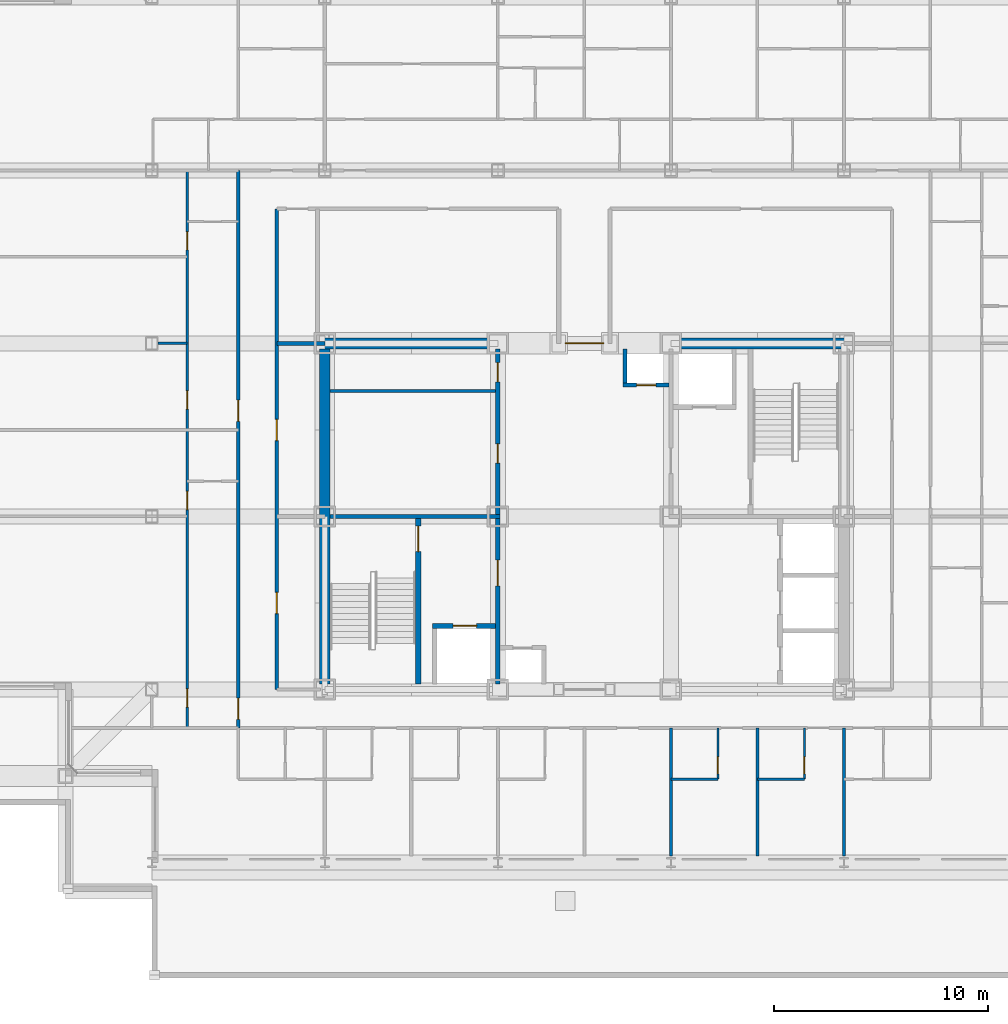
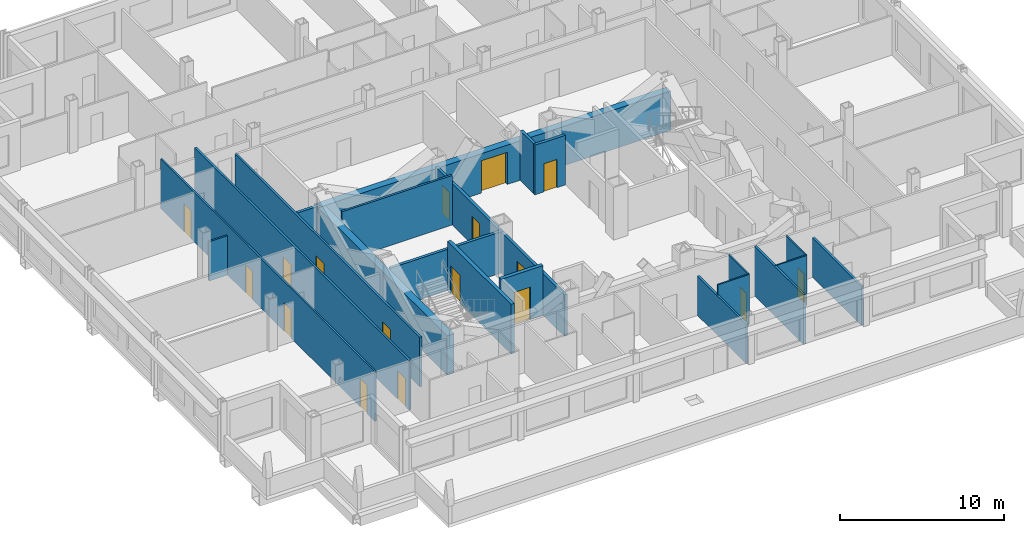
# One storey, part 9 of 15: 22 walls, 17 doors, 17 openings.
"""IFC4 building model written with IfcOpenShell, lengths in metres."""

import ifcopenshell
import ifcopenshell.guid

model = None  # the IFC model being written
_history = None  # IfcOwnerHistory: only IFC2X3 demands one
_inside = {}  # id of a spatial element -> (the spatial element, [elements in it])
_under = {}  # id of a project, library or spatial element -> (it, [spatial elements below it])
_declared = {}  # id of a project -> (the project, [libraries it declares])
_typed = {}  # id of a type object -> (the type object, [elements of that type])
_made_of = {}  # id of a material, layer set ... -> (it, [elements and type objects made of it])


def new_model(schema):
    """Start an empty IFC model of exactly this schema.

    Asked for "IFC4X3", IfcOpenShell would pick the latest addendum, in which some entities
    have other attributes; the version numbers below select the first issue.
    IFC2X3 requires an IfcOwnerHistory on every rooted entity: one is made here for all.
    """
    global model, _history
    if schema == "IFC4X3":
        model = ifcopenshell.file(schema_version=(4, 3, 0, 0))
    else:
        model = ifcopenshell.file(schema=schema)
    _inside.clear()
    _under.clear()
    _declared.clear()
    _typed.clear()
    _made_of.clear()
    _history = None
    if model.schema == "IFC2X3":
        org = make("IfcOrganization", Name="unknown")
        user = make(
            "IfcPersonAndOrganization",
            ThePerson=make("IfcPerson", FamilyName="unknown"),
            TheOrganization=org,
        )
        app = make(
            "IfcApplication",
            ApplicationDeveloper=org,
            Version="unknown",
            ApplicationFullName="unknown",
            ApplicationIdentifier="unknown",
        )
        _history = make(
            "IfcOwnerHistory",
            OwningUser=user,
            OwningApplication=app,
            ChangeAction="ADDED",
            CreationDate=0,
        )
    return model


def make(cls, **values):
    """One entity of the class cls with the attributes given. An attribute that is None is left unset."""
    return model.create_entity(
        cls, **{name: value for name, value in values.items() if value is not None}
    )


def rooted(cls, **values):
    """An entity with a GlobalId (a new one), such as an element, a storey or a relation."""
    return make(cls, GlobalId=ifcopenshell.guid.new(), OwnerHistory=_history, **values)


def si_unit(unit_type, name, prefix=None):
    """IfcSIUnit, for example si_unit("LENGTHUNIT", "METRE", prefix="MILLI")."""
    return make("IfcSIUnit", UnitType=unit_type, Prefix=prefix, Name=name)


def assignment(units):
    """IfcUnitAssignment: the units of a project."""
    return None if units is None else make("IfcUnitAssignment", Units=units)


def point(xyz):
    """IfcCartesianPoint."""
    return None if xyz is None else make("IfcCartesianPoint", Coordinates=xyz)


def direction(xyz):
    """IfcDirection."""
    return None if xyz is None else make("IfcDirection", DirectionRatios=xyz)


def frame(location, z_axis=None, x_axis=None):
    """IfcAxis2Placement3D, a coordinate frame: its origin and axes. An axis left out is left unset."""
    return make(
        "IfcAxis2Placement3D",
        Location=point(location),
        Axis=direction(z_axis),
        RefDirection=direction(x_axis),
    )


def frame_2d(location, x_axis=None):
    """IfcAxis2Placement2D, a coordinate frame in the plane: its origin and x axis."""
    return make(
        "IfcAxis2Placement2D", Location=point(location), RefDirection=direction(x_axis)
    )


def origin():
    """The frame at (0, 0, 0) with its axes left unset."""
    return frame((0.0, 0.0, 0.0))


def place(relative_to, where):
    """IfcLocalPlacement: puts the frame where relative to a parent placement (None: the world)."""
    return make(
        "IfcLocalPlacement", PlacementRelTo=relative_to, RelativePlacement=where
    )


def context(
    kind, dimensions, precision=None, world=None, true_north=None, identifier=None
):
    """IfcGeometricRepresentationContext, for example the 3D "Model" context."""
    return make(
        "IfcGeometricRepresentationContext",
        ContextIdentifier=identifier,
        ContextType=kind,
        CoordinateSpaceDimension=dimensions,
        Precision=precision,
        WorldCoordinateSystem=world,
        TrueNorth=true_north,
    )


def subcontext(parent, identifier, kind, view, scale=None):
    """IfcGeometricRepresentationSubContext, for example "Body" below "Model"."""
    return make(
        "IfcGeometricRepresentationSubContext",
        ContextIdentifier=identifier,
        ContextType=kind,
        ParentContext=parent,
        TargetScale=scale,
        TargetView=view,
    )


def project(units=None, contexts=None):
    """IfcProject with its units and contexts."""
    return rooted(
        "IfcProject",
        Name="project",
        RepresentationContexts=contexts,
        UnitsInContext=assignment(units),
    )


def spatial(cls, under=None, at=None, **own):
    """A site, building, storey or space (cls), placed at a placement, below another one or the project."""
    s = rooted(cls, ObjectPlacement=at, **own)
    if under is not None:
        _under.setdefault(under.id(), (under, []))[1].append(s)
    return s


def profile(cls, at=None, kind="AREA", **sizes):
    """A parametric profile (cls). Its sizes go by their IFC names, for example OverallWidth=200.0."""
    return make(cls, ProfileType=kind, Position=at, **sizes)


def rectangle(**sizes):
    """IfcRectangleProfileDef."""
    return profile("IfcRectangleProfileDef", **sizes)


def extrude(swept, where, along, depth):
    """IfcExtrudedAreaSolid: the profile swept, set in the frame where, extruded along a direction by depth."""
    return make(
        "IfcExtrudedAreaSolid",
        SweptArea=swept,
        Position=where,
        ExtrudedDirection=direction(along),
        Depth=depth,
    )


def shape(context_of_items, identifier, shape_type, items):
    """IfcShapeRepresentation: the items that make up one representation, for example the "Body"."""
    return make(
        "IfcShapeRepresentation",
        ContextOfItems=context_of_items,
        RepresentationIdentifier=identifier,
        RepresentationType=shape_type,
        Items=items,
    )


def material(Name=None, Category=None):
    """IfcMaterial."""
    return make("IfcMaterial", Name=Name, Category=Category)


def layer(
    of_material, thickness, ventilated=None, Name=None, Category=None, Priority=None
):
    """IfcMaterialLayer: one layer of a wall or slab, of a material (None: an air gap)."""
    return make(
        "IfcMaterialLayer",
        Material=of_material,
        LayerThickness=thickness,
        IsVentilated=ventilated,
        Name=Name,
        Category=Category,
        Priority=Priority,
    )


def layer_set(layers, Name=None):
    """IfcMaterialLayerSet."""
    return make("IfcMaterialLayerSet", MaterialLayers=layers, LayerSetName=Name)


def made_of(thing, what):
    """Note that an element or type object is made of a material, layer set ...; save() writes the relation."""
    if what is not None:
        _made_of.setdefault(what.id(), (what, []))[1].append(thing)
    return thing


def type_object(cls, material=None, **own):
    """A type object (cls), such as IfcWallType, which elements share."""
    return made_of(rooted(cls, **own), material)


def element(
    cls,
    number,
    at=None,
    inside=None,
    cuts=None,
    type_object=None,
    material=None,
    context=None,
    identifier="Body",
    shape_type=None,
    held_by="IfcProductDefinitionShape",
    body=None,
    shapes=None,
    **own,
):
    """One element of the class cls, such as IfcWall. Its Tag is "e" and its number.

    at: its placement. inside: the storey or other place that contains it. cuts: it is an
    opening in that element (IfcRelVoidsElement). A single representation is given by context,
    identifier, shape_type and body (its items); several are given by shapes. held_by: the class
    of the entity that holds the representations. save() writes the other relations.
    """
    e = rooted(cls, Tag="e%d" % number, ObjectPlacement=at, **own)
    if body is not None:
        shapes = [shape(context, identifier, shape_type, body)]
    if shapes is not None:
        e.Representation = make(held_by, Representations=shapes)
    if inside is not None:
        _inside.setdefault(inside.id(), (inside, []))[1].append(e)
    if cuts is not None:
        rooted(
            "IfcRelVoidsElement", RelatingBuildingElement=cuts, RelatedOpeningElement=e
        )
    if type_object is not None:
        _typed.setdefault(type_object.id(), (type_object, []))[1].append(e)
    return made_of(e, material)


def fill(opening, filler):
    """IfcRelFillsElement: the door or window that sits in an opening."""
    return rooted(
        "IfcRelFillsElement",
        RelatingOpeningElement=opening,
        RelatedBuildingElement=filler,
    )


def aggregate(whole, parts):
    """IfcRelAggregates: a whole, such as a stair, and the parts it consists of."""
    return rooted("IfcRelAggregates", RelatingObject=whole, RelatedObjects=parts)


def save(model, path):
    """Write the relations noted so far, then the file.

    IfcRelAggregates (storeys below a building ...), IfcRelContainedInSpatialStructure (elements
    in a storey), IfcRelDefinesByType, IfcRelAssociatesMaterial and IfcRelDeclares: one each for
    every whole, place, type object, material and project.
    """
    for whole, parts in _under.values():
        aggregate(whole, parts)
    for where, things in _inside.values():
        rooted(
            "IfcRelContainedInSpatialStructure",
            RelatedElements=things,
            RelatingStructure=where,
        )
    for kind, things in _typed.values():
        rooted("IfcRelDefinesByType", RelatedObjects=things, RelatingType=kind)
    for what, things in _made_of.values():
        rooted("IfcRelAssociatesMaterial", RelatedObjects=things, RelatingMaterial=what)
    for by, libraries in _declared.values():
        rooted("IfcRelDeclares", RelatingContext=by, RelatedDefinitions=libraries)
    model.write(path)


model = new_model("IFC4")

# Units and contexts
model_context = context("Model", 3, precision=1e-05, world=origin(), true_north=direction((0.0, 1.0)))
body_context = subcontext(model_context, "Body", "Model", "MODEL_VIEW")
ifc_project = project(units=[si_unit("LENGTHUNIT", "METRE"), si_unit("AREAUNIT", "SQUARE_METRE"), si_unit("VOLUMEUNIT", "CUBIC_METRE"), si_unit("PLANEANGLEUNIT", "RADIAN"), si_unit("MASSUNIT", "GRAM", prefix="KILO")], contexts=[model_context])

# Site, building, storey
site_placement = place(None, origin())
site = spatial("IfcSite", under=ifc_project, at=site_placement, CompositionType="ELEMENT")
building_placement = place(site_placement, origin())
building = spatial("IfcBuilding", under=site, at=building_placement, Name="Kopane Lantern Tower", CompositionType="ELEMENT")
storey_placement = place(building_placement, frame((0.0, 0.0, 242.39990234375)))
storey = spatial("IfcBuildingStorey", under=building, at=storey_placement, Name="L62", CompositionType="ELEMENT", Elevation=242.39990234375)

# Wall, openings, doors
ifc_material_1 = material(Name="Gypsum board on steel studs", Category="steel")
ifc_layer_1 = layer(ifc_material_1, 0.1201171875)
ifc_layer_set_1 = layer_set([ifc_layer_1], Name="APARTMENT INTERNAL WALL 120")
wall_type_1 = type_object("IfcWallType", Name="APARTMENT INTERNAL WALL 120", PredefinedType="PARTITIONING", material=ifc_layer_set_1)
wall_1_placement = place(storey_placement, frame((9.75, 22.5, 0.0), z_axis=(0.0, 0.0, 1.0), x_axis=(0.0, 1.0, 0.0)))
wall_1 = element("IfcWall", 1, at=wall_1_placement, inside=storey, type_object=wall_type_1, Name="Apartment Internal Wall 120 L62", PredefinedType="PARTITIONING", context=body_context, shape_type="SweptSolid", body=[
    extrude(rectangle(XDim=26.10009765625, YDim=0.1201171875, at=frame_2d((13.050048828125, 0.0))), origin(), (0.0, 0.0, 1.0), 3.690185546875),
])
opening_1_placement = place(wall_1_placement, frame((0.97509765625, 0.0, 0.0)))
opening_1 = element("IfcOpeningElement", 2, at=opening_1_placement, cuts=wall_1, Name="Opening L62-031", PredefinedType="OPENING", context=body_context, shape_type="SweptSolid", body=[
    extrude(rectangle(XDim=0.85009765625, YDim=2.10009765625, at=frame_2d((0.425048828125, 1.050048828125))), frame((0.0, 0.070068359375, 0.0), z_axis=(0.0, -1.0, 0.0), x_axis=(1.0, 0.0, 0.0)), (0.0, 0.0, 1.0), 0.14013671875),
])
opening_2_placement = place(wall_1_placement, frame((10.22509765625, 0.0, 0.0)))
opening_2 = element("IfcOpeningElement", 3, at=opening_2_placement, cuts=wall_1, Name="Opening L62-032", PredefinedType="OPENING", context=body_context, shape_type="SweptSolid", body=[
    extrude(rectangle(XDim=0.85009765625, YDim=2.10009765625, at=frame_2d((0.425048828125, 1.050048828125))), frame((0.0, 0.070068359375, 0.0), z_axis=(0.0, -1.0, 0.0), x_axis=(1.0, 0.0, 0.0)), (0.0, 0.0, 1.0), 0.14013671875),
])
opening_3_placement = place(wall_1_placement, frame((14.925048828125, 0.0, 0.0)))
opening_3 = element("IfcOpeningElement", 4, at=opening_3_placement, cuts=wall_1, Name="Opening L62-035", PredefinedType="OPENING", context=body_context, shape_type="SweptSolid", body=[
    extrude(rectangle(XDim=0.85009765625, YDim=2.10009765625, at=frame_2d((0.425048828125, 1.050048828125))), frame((0.0, 0.070068359375, 0.0), z_axis=(0.0, -1.0, 0.0), x_axis=(1.0, 0.0, 0.0)), (0.0, 0.0, 1.0), 0.14013671875),
])
opening_4_placement = place(wall_1_placement, frame((22.375, 0.0, 0.0)))
opening_4 = element("IfcOpeningElement", 5, at=opening_4_placement, cuts=wall_1, Name="Opening L62-036", PredefinedType="OPENING", context=body_context, shape_type="SweptSolid", body=[
    extrude(rectangle(XDim=0.85009765625, YDim=2.10009765625, at=frame_2d((0.425048828125, 1.050048828125))), frame((0.0, 0.070068359375, 0.0), z_axis=(0.0, -1.0, 0.0), x_axis=(1.0, 0.0, 0.0)), (0.0, 0.0, 1.0), 0.14013671875),
])
ifc_material_2 = material(Name="Timber door set", Category="wood")
door_type_1 = type_object("IfcDoorType", Name="DOOR D4 850x2100", OperationType="SINGLE_SWING_LEFT", PredefinedType="DOOR", material=ifc_material_2)
door_1_placement = place(opening_1_placement, origin())
door_1 = element("IfcDoor", 6, at=door_1_placement, inside=storey, type_object=door_type_1, Name="Door L62-031", OperationType="SINGLE_SWING_RIGHT", OverallHeight=2.10009765625, OverallWidth=0.85009765625, PredefinedType="DOOR", context=body_context, shape_type="SweptSolid", body=[
    extrude(rectangle(XDim=0.85009765625, YDim=2.10009765625, at=frame_2d((0.425048828125, 1.050048828125))), frame((0.0, 0.02490234375, 0.0), z_axis=(0.0, -1.0, 0.0), x_axis=(1.0, 0.0, 0.0)), (0.0, 0.0, 1.0), 0.050048828125),
])
fill(opening_1, door_1)
door_2_placement = place(opening_2_placement, origin())
door_2 = element("IfcDoor", 7, at=door_2_placement, inside=storey, type_object=door_type_1, Name="Door L62-032", OperationType="SINGLE_SWING_LEFT", OverallHeight=2.10009765625, OverallWidth=0.85009765625, PredefinedType="DOOR", context=body_context, shape_type="SweptSolid", body=[
    extrude(rectangle(XDim=0.85009765625, YDim=2.10009765625, at=frame_2d((0.425048828125, 1.050048828125))), frame((0.0, 0.02490234375, 0.0), z_axis=(0.0, -1.0, 0.0), x_axis=(1.0, 0.0, 0.0)), (0.0, 0.0, 1.0), 0.050048828125),
])
fill(opening_2, door_2)
door_3_placement = place(opening_3_placement, origin())
door_3 = element("IfcDoor", 8, at=door_3_placement, inside=storey, type_object=door_type_1, Name="Door L62-035", OperationType="SINGLE_SWING_RIGHT", OverallHeight=2.10009765625, OverallWidth=0.85009765625, PredefinedType="DOOR", context=body_context, shape_type="SweptSolid", body=[
    extrude(rectangle(XDim=0.85009765625, YDim=2.10009765625, at=frame_2d((0.425048828125, 1.050048828125))), frame((0.0, 0.02490234375, 0.0), z_axis=(0.0, -1.0, 0.0), x_axis=(1.0, 0.0, 0.0)), (0.0, 0.0, 1.0), 0.050048828125),
])
fill(opening_3, door_3)
door_4_placement = place(opening_4_placement, origin())
door_4 = element("IfcDoor", 9, at=door_4_placement, inside=storey, type_object=door_type_1, Name="Door L62-036", OperationType="SINGLE_SWING_LEFT", OverallHeight=2.10009765625, OverallWidth=0.85009765625, PredefinedType="DOOR", context=body_context, shape_type="SweptSolid", body=[
    extrude(rectangle(XDim=0.85009765625, YDim=2.10009765625, at=frame_2d((0.425048828125, 1.050048828125))), frame((0.0, 0.02490234375, 0.0), z_axis=(0.0, -1.0, 0.0), x_axis=(1.0, 0.0, 0.0)), (0.0, 0.0, 1.0), 0.050048828125),
])
fill(opening_4, door_4)

# Walls
wall_2_placement = place(storey_placement, frame((9.75, 40.5, 0.0), z_axis=(0.0, 0.0, 1.0), x_axis=(-1.0, 0.0, 0.0)))
element("IfcWall", 10, at=wall_2_placement, inside=storey, type_object=wall_type_1, Name="Apartment Internal Wall 120 L62", PredefinedType="PARTITIONING", context=body_context, shape_type="SweptSolid", body=[
    extrude(rectangle(XDim=1.35009765625, YDim=0.1201171875, at=frame_2d((0.675048828125, 0.0))), origin(), (0.0, 0.0, 1.0), 2.927978515625),
])
ifc_material_3 = material(Name="Moisture-resistant board on steel studs", Category="steel")
ifc_layer_2 = layer(ifc_material_3, 0.10009765625)
ifc_layer_set_2 = layer_set([ifc_layer_2], Name="BATHROOM WALL 100")
wall_type_2 = type_object("IfcWallType", Name="BATHROOM WALL 100", PredefinedType="PARTITIONING", material=ifc_layer_set_2)
wall_3_placement = place(storey_placement, frame((32.39990234375, 20.10009765625, 0.0), z_axis=(0.0, 0.0, 1.0), x_axis=(1.0, 0.0, 0.0)))
element("IfcWall", 11, at=wall_3_placement, inside=storey, type_object=wall_type_2, Name="Bathroom Wall 100 L62", PredefinedType="PARTITIONING", context=body_context, shape_type="SweptSolid", body=[
    extrude(rectangle(XDim=2.2001953125, YDim=0.10009765625, at=frame_2d((1.10009765625, 0.0))), origin(), (0.0, 0.0, 1.0), 3.690185546875),
])

# Wall, opening, door
wall_4_placement = place(storey_placement, frame((34.60009765625, 22.5, 0.0), z_axis=(0.0, 0.0, 1.0), x_axis=(0.0, -1.0, 0.0)))
wall_4 = element("IfcWall", 12, at=wall_4_placement, inside=storey, type_object=wall_type_2, Name="Bathroom Wall 100 L62", PredefinedType="PARTITIONING", context=body_context, shape_type="SweptSolid", body=[
    extrude(rectangle(XDim=2.39990234375, YDim=0.10009765625, at=frame_2d((1.199951171875, 0.0))), origin(), (0.0, 0.0, 1.0), 3.690185546875),
])
opening_5_placement = place(wall_4_placement, frame((1.35009765625, 0.0, 0.0)))
opening_5 = element("IfcOpeningElement", 13, at=opening_5_placement, cuts=wall_4, Name="Opening L62-015", PredefinedType="OPENING", context=body_context, shape_type="SweptSolid", body=[
    extrude(rectangle(XDim=0.800048828125, YDim=2.10009765625, at=frame_2d((0.39990234375, 1.050048828125))), frame((0.0, 0.06005859375, 0.0), z_axis=(0.0, -1.0, 0.0), x_axis=(1.0, 0.0, 0.0)), (0.0, 0.0, 1.0), 0.1201171875),
])
ifc_material_4 = material(Name="Timber door set", Category="wood")
door_type_2 = type_object("IfcDoorType", Name="DOOR D2 800x2100", OperationType="SINGLE_SWING_LEFT", PredefinedType="DOOR", material=ifc_material_4)
door_5_placement = place(opening_5_placement, origin())
door_5 = element("IfcDoor", 14, at=door_5_placement, inside=storey, type_object=door_type_2, Name="Door L62-015", OperationType="SINGLE_SWING_LEFT", OverallHeight=2.10009765625, OverallWidth=0.800048828125, PredefinedType="DOOR", context=body_context, shape_type="SweptSolid", body=[
    extrude(rectangle(XDim=0.800048828125, YDim=2.10009765625, at=frame_2d((0.39990234375, 1.050048828125))), frame((0.0, 0.02490234375, 0.0), z_axis=(0.0, -1.0, 0.0), x_axis=(1.0, 0.0, 0.0)), (0.0, 0.0, 1.0), 0.050048828125),
])
fill(opening_5, door_5)

# Wall
wall_5_placement = place(storey_placement, frame((36.449951171875, 20.10009765625, 0.0), z_axis=(0.0, 0.0, 1.0), x_axis=(1.0, 0.0, 0.0)))
element("IfcWall", 15, at=wall_5_placement, inside=storey, type_object=wall_type_2, Name="Bathroom Wall 100 L62", PredefinedType="PARTITIONING", context=body_context, shape_type="SweptSolid", body=[
    extrude(rectangle(XDim=2.199951171875, YDim=0.10009765625, at=frame_2d((1.10009765625, 0.0))), origin(), (0.0, 0.0, 1.0), 3.690185546875),
])

# Wall, opening, door
wall_6_placement = place(storey_placement, frame((38.64990234375, 22.5, 0.0), z_axis=(0.0, 0.0, 1.0), x_axis=(0.0, -1.0, 0.0)))
wall_6 = element("IfcWall", 16, at=wall_6_placement, inside=storey, type_object=wall_type_2, Name="Bathroom Wall 100 L62", PredefinedType="PARTITIONING", context=body_context, shape_type="SweptSolid", body=[
    extrude(rectangle(XDim=2.39990234375, YDim=0.10009765625, at=frame_2d((1.199951171875, 0.0))), origin(), (0.0, 0.0, 1.0), 3.690185546875),
])
opening_6_placement = place(wall_6_placement, frame((1.35009765625, 0.0, 0.0)))
opening_6 = element("IfcOpeningElement", 17, at=opening_6_placement, cuts=wall_6, Name="Opening L62-017", PredefinedType="OPENING", context=body_context, shape_type="SweptSolid", body=[
    extrude(rectangle(XDim=0.800048828125, YDim=2.10009765625, at=frame_2d((0.39990234375, 1.050048828125))), frame((0.0, 0.06005859375, 0.0), z_axis=(0.0, -1.0, 0.0), x_axis=(1.0, 0.0, 0.0)), (0.0, 0.0, 1.0), 0.1201171875),
])
door_6_placement = place(opening_6_placement, origin())
door_6 = element("IfcDoor", 18, at=door_6_placement, inside=storey, type_object=door_type_2, Name="Door L62-017", OperationType="SINGLE_SWING_LEFT", OverallHeight=2.10009765625, OverallWidth=0.800048828125, PredefinedType="DOOR", context=body_context, shape_type="SweptSolid", body=[
    extrude(rectangle(XDim=0.800048828125, YDim=2.10009765625, at=frame_2d((0.39990234375, 1.050048828125))), frame((0.0, 0.02490234375, 0.0), z_axis=(0.0, -1.0, 0.0), x_axis=(1.0, 0.0, 0.0)), (0.0, 0.0, 1.0), 0.050048828125),
])
fill(opening_6, door_6)

ifc_material_5 = material(Name="Gypsum shaft wall EI 120", Category="gypsum")
ifc_layer_3 = layer(ifc_material_5, 0.5)
ifc_layer_set_3 = layer_set([ifc_layer_3], Name="CORE PERIMETER WALL 500 EI 120")
wall_type_3 = type_object("IfcWallType", Name="CORE PERIMETER WALL 500 EI 120", PredefinedType="SOLIDWALL", material=ifc_layer_set_3)
wall_7_placement = place(storey_placement, frame((15.949951171875, 40.5, 0.0), z_axis=(0.0, 0.0, 1.0), x_axis=(1.0, 0.0, 0.0)))
wall_7 = element("IfcWall", 19, at=wall_7_placement, inside=storey, type_object=wall_type_3, Name="Core shaft wall L62 PN", PredefinedType="SOLIDWALL", context=body_context, shape_type="SweptSolid", body=[
    extrude(rectangle(XDim=24.800048828125, YDim=0.5, at=frame_2d((12.39990234375, 0.0))), origin(), (0.0, 0.0, 1.0), 2.927978515625),
])
opening_7_placement = place(wall_7_placement, frame((11.5, 0.0, 0.0)))
opening_7 = element("IfcOpeningElement", 20, at=opening_7_placement, cuts=wall_7, Name="Opening 62.CE-N", PredefinedType="OPENING", context=body_context, shape_type="SweptSolid", body=[
    extrude(rectangle(XDim=1.800048828125, YDim=2.39990234375, at=frame_2d((0.89990234375, 1.199951171875))), frame((0.0, 0.260009765625, 0.0), z_axis=(0.0, -1.0, 0.0), x_axis=(1.0, 0.0, 0.0)), (0.0, 0.0, 1.0), 0.52001953125),
])
ifc_material_6 = material(Name="Steel door set", Category="steel")
door_type_3 = type_object("IfcDoorType", Name="CORE ENTRY DOOR 1800x2400 FD60S", OperationType="DOUBLE_DOOR_SINGLE_SWING", PredefinedType="DOOR", material=ifc_material_6)
door_7_placement = place(opening_7_placement, origin())
door_7 = element("IfcDoor", 21, at=door_7_placement, inside=storey, type_object=door_type_3, Name="Core entry door L62 north", OperationType="DOUBLE_DOOR_SINGLE_SWING", OverallHeight=2.39990234375, OverallWidth=1.800048828125, PredefinedType="DOOR", context=body_context, shape_type="SweptSolid", body=[
    extrude(rectangle(XDim=1.800048828125, YDim=2.39990234375, at=frame_2d((0.89990234375, 1.199951171875))), frame((0.0, 0.02490234375, 0.0), z_axis=(0.0, -1.0, 0.0), x_axis=(1.0, 0.0, 0.0)), (0.0, 0.0, 1.0), 0.050048828125),
])
fill(opening_7, door_7)

# Walls
wall_8_placement = place(storey_placement, frame((16.199951171875, 24.550048828125, 0.0), z_axis=(0.0, 0.0, 1.0), x_axis=(0.0, 1.0, 0.0)))
element("IfcWall", 22, at=wall_8_placement, inside=storey, type_object=wall_type_3, Name="Core shaft wall L62 PW", PredefinedType="SOLIDWALL", context=body_context, shape_type="SweptSolid", body=[
    extrude(rectangle(XDim=15.699951171875, YDim=0.5, at=frame_2d((7.85009765625, 0.0))), origin(), (0.0, 0.0, 1.0), 2.927978515625),
])
ifc_material_7 = material(Name="Gypsum partition EI 60", Category="gypsum")
ifc_layer_4 = layer(ifc_material_7, 0.14990234375)
ifc_layer_set_4 = layer_set([ifc_layer_4], Name="CORE ROOM PARTITION 150 EI 60")
wall_type_4 = type_object("IfcWallType", Name="CORE ROOM PARTITION 150 EI 60", PredefinedType="PARTITIONING", material=ifc_layer_set_4)
wall_9_placement = place(storey_placement, frame((16.449951171875, 38.27490234375, 0.0), z_axis=(0.0, 0.0, 1.0), x_axis=(1.0, 0.0, 0.0)))
element("IfcWall", 23, at=wall_9_placement, inside=storey, type_object=wall_type_4, Name="Core room partition L62 WW1", PredefinedType="PARTITIONING", context=body_context, shape_type="SweptSolid", body=[
    extrude(rectangle(XDim=7.75, YDim=0.14990234375, at=frame_2d((3.875, 0.0))), origin(), (0.0, 0.0, 1.0), 3.690185546875),
])

# Wall, openings, doors
ifc_material_8 = material(Name="Gypsum partition EI 60", Category="gypsum")
ifc_layer_5 = layer(ifc_material_8, 0.199951171875)
ifc_layer_set_5 = layer_set([ifc_layer_5], Name="CORE ROOM WALL 200 EI 60")
wall_type_5 = type_object("IfcWallType", Name="CORE ROOM WALL 200 EI 60", PredefinedType="PARTITIONING", material=ifc_layer_set_5)
wall_10_placement = place(storey_placement, frame((24.300048828125, 32.5, 0.0), z_axis=(0.0, 0.0, 1.0), x_axis=(0.0, 1.0, 0.0)))
wall_10 = element("IfcWall", 24, at=wall_10_placement, inside=storey, type_object=wall_type_5, Name="Core room wall L62 XW", PredefinedType="PARTITIONING", context=body_context, shape_type="SweptSolid", body=[
    extrude(rectangle(XDim=7.75, YDim=0.199951171875, at=frame_2d((3.875, 0.0))), origin(), (0.0, 0.0, 1.0), 3.077880859375),
])
opening_8_placement = place(wall_10_placement, frame((2.39990234375, 0.0, 0.0)))
opening_8 = element("IfcOpeningElement", 25, at=opening_8_placement, cuts=wall_10, Name="Opening 62.C30", PredefinedType="OPENING", context=body_context, shape_type="SweptSolid", body=[
    extrude(rectangle(XDim=0.89990234375, YDim=2.10009765625, at=frame_2d((0.449951171875, 1.050048828125))), frame((0.0, 0.10986328125, 0.0), z_axis=(0.0, -1.0, 0.0), x_axis=(1.0, 0.0, 0.0)), (0.0, 0.0, 1.0), 0.219970703125),
])
opening_9_placement = place(wall_10_placement, frame((6.199951171875, 0.0, 0.0)))
opening_9 = element("IfcOpeningElement", 26, at=opening_9_placement, cuts=wall_10, Name="Opening 62.C31", PredefinedType="OPENING", context=body_context, shape_type="SweptSolid", body=[
    extrude(rectangle(XDim=0.89990234375, YDim=2.10009765625, at=frame_2d((0.449951171875, 1.050048828125))), frame((0.0, 0.10986328125, 0.0), z_axis=(0.0, -1.0, 0.0), x_axis=(1.0, 0.0, 0.0)), (0.0, 0.0, 1.0), 0.219970703125),
])
ifc_material_9 = material(Name="Steel door set", Category="steel")
door_type_4 = type_object("IfcDoorType", Name="CORE ROOM DOOR 900x2100 FD60", OperationType="SINGLE_SWING_LEFT", PredefinedType="DOOR", material=ifc_material_9)
door_8_placement = place(opening_8_placement, origin())
door_8 = element("IfcDoor", 27, at=door_8_placement, inside=storey, type_object=door_type_4, Name="Door Residents storage L62", OperationType="SINGLE_SWING_LEFT", OverallHeight=2.10009765625, OverallWidth=0.89990234375, PredefinedType="DOOR", context=body_context, shape_type="SweptSolid", body=[
    extrude(rectangle(XDim=0.89990234375, YDim=2.10009765625, at=frame_2d((0.449951171875, 1.050048828125))), frame((0.0, 0.02490234375, 0.0), z_axis=(0.0, -1.0, 0.0), x_axis=(1.0, 0.0, 0.0)), (0.0, 0.0, 1.0), 0.050048828125),
])
fill(opening_8, door_8)
door_9_placement = place(opening_9_placement, origin())
door_9 = element("IfcDoor", 28, at=door_9_placement, inside=storey, type_object=door_type_4, Name="Door Refuse room L62", OperationType="SINGLE_SWING_LEFT", OverallHeight=2.10009765625, OverallWidth=0.89990234375, PredefinedType="DOOR", context=body_context, shape_type="SweptSolid", body=[
    extrude(rectangle(XDim=0.89990234375, YDim=2.10009765625, at=frame_2d((0.449951171875, 1.050048828125))), frame((0.0, 0.02490234375, 0.0), z_axis=(0.0, -1.0, 0.0), x_axis=(1.0, 0.0, 0.0)), (0.0, 0.0, 1.0), 0.050048828125),
])
fill(opening_9, door_9)

# Wall, opening, door
ifc_material_10 = material(Name="Gypsum shaft wall EI 120", Category="gypsum")
ifc_layer_6 = layer(ifc_material_10, 0.25)
ifc_layer_set_6 = layer_set([ifc_layer_6], Name="CORE SHAFT WALL 250 EI 120")
wall_type_6 = type_object("IfcWallType", Name="CORE SHAFT WALL 250 EI 120", PredefinedType="SOLIDWALL", material=ifc_layer_set_6)
wall_11_placement = place(storey_placement, frame((20.574951171875, 24.550048828125, 0.0), z_axis=(0.0, 0.0, 1.0), x_axis=(0.0, 1.0, 0.0)))
wall_11 = element("IfcWall", 29, at=wall_11_placement, inside=storey, type_object=wall_type_6, Name="Core shaft wall L62 XST1", PredefinedType="SOLIDWALL", context=body_context, shape_type="SweptSolid", body=[
    extrude(rectangle(XDim=7.75, YDim=0.25, at=frame_2d((3.875, 0.0))), origin(), (0.0, 0.0, 1.0), 3.690185546875),
])
opening_10_placement = place(wall_11_placement, frame((6.199951171875, 0.0, 0.0)))
opening_10 = element("IfcOpeningElement", 30, at=opening_10_placement, cuts=wall_11, Name="Opening 62.SD1", PredefinedType="OPENING", context=body_context, shape_type="SweptSolid", body=[
    extrude(rectangle(XDim=1.199951171875, YDim=2.10009765625, at=frame_2d((0.60009765625, 1.050048828125))), frame((0.0, 0.135009765625, 0.0), z_axis=(0.0, -1.0, 0.0), x_axis=(1.0, 0.0, 0.0)), (0.0, 0.0, 1.0), 0.27001953125),
])
ifc_material_11 = material(Name="Steel door set", Category="steel")
door_type_5 = type_object("IfcDoorType", Name="STAIR DOOR 1200x2100 FD60S", OperationType="SINGLE_SWING_LEFT", PredefinedType="DOOR", material=ifc_material_11)
door_10_placement = place(opening_10_placement, origin())
door_10 = element("IfcDoor", 31, at=door_10_placement, inside=storey, type_object=door_type_5, Name="Stair door ST1 L62", OperationType="SINGLE_SWING_LEFT", OverallHeight=2.10009765625, OverallWidth=1.199951171875, PredefinedType="DOOR", context=body_context, shape_type="SweptSolid", body=[
    extrude(rectangle(XDim=1.199951171875, YDim=2.10009765625, at=frame_2d((0.60009765625, 1.050048828125))), frame((0.0, 0.02490234375, 0.0), z_axis=(0.0, -1.0, 0.0), x_axis=(1.0, 0.0, 0.0)), (0.0, 0.0, 1.0), 0.050048828125),
])
fill(opening_10, door_10)

wall_12_placement = place(storey_placement, frame((21.25, 27.27490234375, 0.0), z_axis=(0.0, 0.0, 1.0), x_axis=(1.0, 0.0, 0.0)))
wall_12 = element("IfcWall", 32, at=wall_12_placement, inside=storey, type_object=wall_type_6, Name="Core shaft wall L62 YLF1", PredefinedType="SOLIDWALL", context=body_context, shape_type="SweptSolid", body=[
    extrude(rectangle(XDim=2.949951171875, YDim=0.25, at=frame_2d((1.47509765625, 0.0))), origin(), (0.0, 0.0, 1.0), 3.690185546875),
])
opening_11_placement = place(wall_12_placement, frame((0.949951171875, 0.0, 0.0)))
opening_11 = element("IfcOpeningElement", 33, at=opening_11_placement, cuts=wall_12, Name="Opening 62.LD-LF1", PredefinedType="OPENING", context=body_context, shape_type="SweptSolid", body=[
    extrude(rectangle(XDim=1.10009765625, YDim=2.39990234375, at=frame_2d((0.550048828125, 1.199951171875))), frame((0.0, 0.135009765625, 0.0), z_axis=(0.0, -1.0, 0.0), x_axis=(1.0, 0.0, 0.0)), (0.0, 0.0, 1.0), 0.27001953125),
])
ifc_material_12 = material(Name="Steel door set", Category="steel")
door_type_6 = type_object("IfcDoorType", Name="LIFT LANDING DOOR 1100x2400 FD60", OperationType="DOUBLE_DOOR_SLIDING", PredefinedType="DOOR", material=ifc_material_12)
door_11_placement = place(opening_11_placement, origin())
door_11 = element("IfcDoor", 34, at=door_11_placement, inside=storey, type_object=door_type_6, Name="Landing door LF1 L62", OperationType="DOUBLE_DOOR_SLIDING", OverallHeight=2.39990234375, OverallWidth=1.10009765625, PredefinedType="DOOR", context=body_context, shape_type="SweptSolid", body=[
    extrude(rectangle(XDim=1.10009765625, YDim=2.39990234375, at=frame_2d((0.550048828125, 1.199951171875))), frame((0.0, 0.02490234375, 0.0), z_axis=(0.0, -1.0, 0.0), x_axis=(1.0, 0.0, 0.0)), (0.0, 0.0, 1.0), 0.050048828125),
])
fill(opening_11, door_11)

# Wall, openings, doors
ifc_material_13 = material(Name="Gypsum board on steel studs", Category="steel")
ifc_layer_7 = layer(ifc_material_13, 0.14990234375)
ifc_layer_set_7 = layer_set([ifc_layer_7], Name="CORRIDOR WALL 150 EI 60")
wall_type_7 = type_object("IfcWallType", Name="CORRIDOR WALL 150 EI 60", PredefinedType="PARTITIONING", material=ifc_layer_set_7)
wall_13_placement = place(storey_placement, frame((12.14990234375, 22.5, 0.0), z_axis=(0.0, 0.0, 1.0), x_axis=(0.0, 1.0, 0.0)))
wall_13 = element("IfcWall", 35, at=wall_13_placement, inside=storey, type_object=wall_type_7, Name="Corridor Wall 150 Ei 60 L62", PredefinedType="PARTITIONING", context=body_context, shape_type="SweptSolid", body=[
    extrude(rectangle(XDim=26.10009765625, YDim=0.14990234375, at=frame_2d((13.050048828125, 0.0))), origin(), (0.0, 0.0, 1.0), 3.690185546875),
])
opening_12_placement = place(wall_13_placement, frame((0.39990234375, 0.0, 0.0)))
opening_12 = element("IfcOpeningElement", 36, at=opening_12_placement, cuts=wall_13, Name="Opening L62-030", PredefinedType="OPENING", context=body_context, shape_type="SweptSolid", body=[
    extrude(rectangle(XDim=1.0, YDim=2.10009765625, at=frame_2d((0.5, 1.050048828125))), frame((0.0, 0.0849609375, 0.0), z_axis=(0.0, -1.0, 0.0), x_axis=(1.0, 0.0, 0.0)), (0.0, 0.0, 1.0), 0.169921875),
])
opening_13_placement = place(wall_13_placement, frame((14.35009765625, 0.0, 0.0)))
opening_13 = element("IfcOpeningElement", 37, at=opening_13_placement, cuts=wall_13, Name="Opening L62-034", PredefinedType="OPENING", context=body_context, shape_type="SweptSolid", body=[
    extrude(rectangle(XDim=1.0, YDim=2.10009765625, at=frame_2d((0.5, 1.050048828125))), frame((0.0, 0.0849609375, 0.0), z_axis=(0.0, -1.0, 0.0), x_axis=(1.0, 0.0, 0.0)), (0.0, 0.0, 1.0), 0.169921875),
])
ifc_material_14 = material(Name="Steel door set", Category="steel")
door_type_7 = type_object("IfcDoorType", Name="DOOR D3 1000x2100 FD30S", OperationType="SINGLE_SWING_LEFT", PredefinedType="DOOR", material=ifc_material_14)
door_12_placement = place(opening_12_placement, origin())
door_12 = element("IfcDoor", 38, at=door_12_placement, inside=storey, type_object=door_type_7, Name="Door L62-030", OperationType="SINGLE_SWING_LEFT", OverallHeight=2.10009765625, OverallWidth=1.0, PredefinedType="DOOR", context=body_context, shape_type="SweptSolid", body=[
    extrude(rectangle(XDim=1.0, YDim=2.10009765625, at=frame_2d((0.5, 1.050048828125))), frame((0.0, 0.02490234375, 0.0), z_axis=(0.0, -1.0, 0.0), x_axis=(1.0, 0.0, 0.0)), (0.0, 0.0, 1.0), 0.050048828125),
])
fill(opening_12, door_12)
door_13_placement = place(opening_13_placement, origin())
door_13 = element("IfcDoor", 39, at=door_13_placement, inside=storey, type_object=door_type_7, Name="Door L62-034", OperationType="SINGLE_SWING_LEFT", OverallHeight=2.10009765625, OverallWidth=1.0, PredefinedType="DOOR", context=body_context, shape_type="SweptSolid", body=[
    extrude(rectangle(XDim=1.0, YDim=2.10009765625, at=frame_2d((0.5, 1.050048828125))), frame((0.0, 0.02490234375, 0.0), z_axis=(0.0, -1.0, 0.0), x_axis=(1.0, 0.0, 0.0)), (0.0, 0.0, 1.0), 0.050048828125),
])
fill(opening_13, door_13)

wall_14_placement = place(storey_placement, frame((13.949951171875, 46.800048828125, 0.0), z_axis=(0.0, 0.0, 1.0), x_axis=(0.0, -1.0, 0.0)))
wall_14 = element("IfcWall", 40, at=wall_14_placement, inside=storey, type_object=wall_type_7, Name="Corridor Wall 150 Ei 60 L62", PredefinedType="PARTITIONING", context=body_context, shape_type="SweptSolid", body=[
    extrude(rectangle(XDim=22.5, YDim=0.14990234375, at=frame_2d((11.25, 0.0))), origin(), (0.0, 0.0, 1.0), 3.690185546875),
])
opening_14_placement = place(wall_14_placement, frame((17.949951171875, 0.0, 0.0)))
opening_14 = element("IfcOpeningElement", 41, at=opening_14_placement, cuts=wall_14, Name="Opening L62-001", PredefinedType="OPENING", context=body_context, shape_type="SweptSolid", body=[
    extrude(rectangle(XDim=1.0, YDim=2.10009765625, at=frame_2d((0.5, 1.050048828125))), frame((0.0, 0.0849609375, 0.0), z_axis=(0.0, -1.0, 0.0), x_axis=(1.0, 0.0, 0.0)), (0.0, 0.0, 1.0), 0.169921875),
])
opening_15_placement = place(wall_14_placement, frame((9.85009765625, 0.0, 0.0)))
opening_15 = element("IfcOpeningElement", 42, at=opening_15_placement, cuts=wall_14, Name="Opening L62-002", PredefinedType="OPENING", context=body_context, shape_type="SweptSolid", body=[
    extrude(rectangle(XDim=1.0, YDim=2.10009765625, at=frame_2d((0.5, 1.050048828125))), frame((0.0, 0.0849609375, 0.0), z_axis=(0.0, -1.0, 0.0), x_axis=(1.0, 0.0, 0.0)), (0.0, 0.0, 1.0), 0.169921875),
])
ifc_material_15 = material(Name="Steel door set", Category="steel")
door_type_8 = type_object("IfcDoorType", Name="DOOR D5 1000x2100 FD60", OperationType="SINGLE_SWING_LEFT", PredefinedType="DOOR", material=ifc_material_15)
door_14_placement = place(opening_14_placement, origin())
door_14 = element("IfcDoor", 43, at=door_14_placement, inside=storey, type_object=door_type_8, Name="Door L62-001", OperationType="SINGLE_SWING_RIGHT", OverallHeight=2.10009765625, OverallWidth=1.0, PredefinedType="DOOR", context=body_context, shape_type="SweptSolid", body=[
    extrude(rectangle(XDim=1.0, YDim=2.10009765625, at=frame_2d((0.5, 1.050048828125))), frame((0.0, 0.02490234375, 0.0), z_axis=(0.0, -1.0, 0.0), x_axis=(1.0, 0.0, 0.0)), (0.0, 0.0, 1.0), 0.050048828125),
])
fill(opening_14, door_14)
door_15_placement = place(opening_15_placement, origin())
door_15 = element("IfcDoor", 44, at=door_15_placement, inside=storey, type_object=door_type_8, Name="Door L62-002", OperationType="SINGLE_SWING_LEFT", OverallHeight=2.10009765625, OverallWidth=1.0, PredefinedType="DOOR", context=body_context, shape_type="SweptSolid", body=[
    extrude(rectangle(XDim=1.0, YDim=2.10009765625, at=frame_2d((0.5, 1.050048828125))), frame((0.0, 0.02490234375, 0.0), z_axis=(0.0, -1.0, 0.0), x_axis=(1.0, 0.0, 0.0)), (0.0, 0.0, 1.0), 0.050048828125),
])
fill(opening_15, door_15)

# Walls
ifc_material_16 = material(Name="Gypsum board on steel studs", Category="steel")
ifc_layer_8 = layer(ifc_material_16, 0.14990234375)
ifc_layer_set_8 = layer_set([ifc_layer_8], Name="DEMISING WALL 150 EI 60")
wall_type_8 = type_object("IfcWallType", Name="DEMISING WALL 150 EI 60", PredefinedType="PARTITIONING", material=ifc_layer_set_8)
wall_15_placement = place(storey_placement, frame((32.39990234375, 22.5, 0.0), z_axis=(0.0, 0.0, 1.0), x_axis=(0.0, -1.0, 0.0)))
element("IfcWall", 45, at=wall_15_placement, inside=storey, type_object=wall_type_8, Name="Demising Wall 150 Ei 60 L62", PredefinedType="PARTITIONING", context=body_context, shape_type="SweptSolid", body=[
    extrude(rectangle(XDim=6.0, YDim=0.14990234375, at=frame_2d((3.0, 0.0))), origin(), (0.0, 0.0, 1.0), 2.927978515625),
])
wall_16_placement = place(storey_placement, frame((36.449951171875, 22.5, 0.0), z_axis=(0.0, 0.0, 1.0), x_axis=(0.0, -1.0, 0.0)))
element("IfcWall", 46, at=wall_16_placement, inside=storey, type_object=wall_type_8, Name="Demising Wall 150 Ei 60 L62", PredefinedType="PARTITIONING", context=body_context, shape_type="SweptSolid", body=[
    extrude(rectangle(XDim=6.0, YDim=0.14990234375, at=frame_2d((3.0, 0.0))), origin(), (0.0, 0.0, 1.0), 3.690185546875),
])
wall_17_placement = place(storey_placement, frame((40.5, 22.5, 0.0), z_axis=(0.0, 0.0, 1.0), x_axis=(0.0, -1.0, 0.0)))
element("IfcWall", 47, at=wall_17_placement, inside=storey, type_object=wall_type_8, Name="Demising Wall 150 Ei 60 L62", PredefinedType="PARTITIONING", context=body_context, shape_type="SweptSolid", body=[
    extrude(rectangle(XDim=6.0, YDim=0.14990234375, at=frame_2d((3.0, 0.0))), origin(), (0.0, 0.0, 1.0), 2.927978515625),
])
ifc_material_17 = material(Name="Concrete masonry", Category="masonry")
ifc_layer_9 = layer(ifc_material_17, 0.199951171875)
ifc_layer_set_9 = layer_set([ifc_layer_9], Name="PLANT ROOM WALL 200 EI 120")
wall_type_9 = type_object("IfcWallType", Name="PLANT ROOM WALL 200 EI 120", PredefinedType="SOLIDWALL", material=ifc_layer_set_9)
wall_18_placement = place(storey_placement, frame((13.949951171875, 40.5, 0.0), z_axis=(0.0, 0.0, 1.0), x_axis=(1.0, 0.0, 0.0)))
element("IfcWall", 48, at=wall_18_placement, inside=storey, type_object=wall_type_9, Name="Plant Room Wall 200 Ei 120 L62", PredefinedType="SOLIDWALL", context=body_context, shape_type="SweptSolid", body=[
    extrude(rectangle(XDim=2.25, YDim=0.199951171875, at=frame_2d((1.125, 0.0))), origin(), (0.0, 0.0, 1.0), 2.927978515625),
])
ifc_material_18 = material(Name="Gypsum shaft wall EI 120", Category="gypsum")
ifc_layer_10 = layer(ifc_material_18, 0.199951171875)
ifc_layer_set_10 = layer_set([ifc_layer_10], Name="SHAFT WALL 200 EI 120")
wall_type_10 = type_object("IfcWallType", Name="SHAFT WALL 200 EI 120", PredefinedType="SOLIDWALL", material=ifc_layer_set_10)
wall_19_placement = place(storey_placement, frame((16.449951171875, 32.39990234375, 0.0), z_axis=(0.0, 0.0, 1.0), x_axis=(1.0, 0.0, 0.0)))
element("IfcWall", 49, at=wall_19_placement, inside=storey, type_object=wall_type_10, Name="Core shaft wall L62 Y324W", PredefinedType="SOLIDWALL", context=body_context, shape_type="SweptSolid", body=[
    extrude(rectangle(XDim=7.949951171875, YDim=0.199951171875, at=frame_2d((3.97509765625, 0.0))), origin(), (0.0, 0.0, 1.0), 3.077880859375),
])

# Wall, opening, door
wall_20_placement = place(storey_placement, frame((24.300048828125, 24.550048828125, 0.0), z_axis=(0.0, 0.0, 1.0), x_axis=(0.0, 1.0, 0.0)))
wall_20 = element("IfcWall", 50, at=wall_20_placement, inside=storey, type_object=wall_type_10, Name="Core shaft wall L62 X243", PredefinedType="SOLIDWALL", context=body_context, shape_type="SweptSolid", body=[
    extrude(rectangle(XDim=7.75, YDim=0.199951171875, at=frame_2d((3.875, 0.0))), origin(), (0.0, 0.0, 1.0), 3.077880859375),
])
opening_16_placement = place(wall_20_placement, frame((4.60009765625, 0.0, 0.0)))
opening_16 = element("IfcOpeningElement", 51, at=opening_16_placement, cuts=wall_20, Name="Opening 62.FL1", PredefinedType="OPENING", context=body_context, shape_type="SweptSolid", body=[
    extrude(rectangle(XDim=1.199951171875, YDim=2.10009765625, at=frame_2d((0.60009765625, 1.050048828125))), frame((0.0, 0.10986328125, 0.0), z_axis=(0.0, -1.0, 0.0), x_axis=(1.0, 0.0, 0.0)), (0.0, 0.0, 1.0), 0.219970703125),
])
ifc_material_19 = material(Name="Steel door set", Category="steel")
door_type_9 = type_object("IfcDoorType", Name="FIREFIGHTING LOBBY DOOR 1200x2100 FD60S", OperationType="SINGLE_SWING_RIGHT", PredefinedType="DOOR", material=ifc_material_19)
door_16_placement = place(opening_16_placement, origin())
door_16 = element("IfcDoor", 52, at=door_16_placement, inside=storey, type_object=door_type_9, Name="Firefighting lobby door FL1 L62", OperationType="SINGLE_SWING_LEFT", OverallHeight=2.10009765625, OverallWidth=1.199951171875, PredefinedType="DOOR", context=body_context, shape_type="SweptSolid", body=[
    extrude(rectangle(XDim=1.199951171875, YDim=2.10009765625, at=frame_2d((0.60009765625, 1.050048828125))), frame((0.0, 0.02490234375, 0.0), z_axis=(0.0, -1.0, 0.0), x_axis=(1.0, 0.0, 0.0)), (0.0, 0.0, 1.0), 0.050048828125),
])
fill(opening_16, door_16)

# Wall
wall_21_placement = place(storey_placement, frame((30.25, 38.64990234375, 0.0), z_axis=(0.0, 0.0, 1.0), x_axis=(0.0, 1.0, 0.0)))
element("IfcWall", 53, at=wall_21_placement, inside=storey, type_object=wall_type_10, Name="Core shaft wall L62 XRS2", PredefinedType="SOLIDWALL", context=body_context, shape_type="SweptSolid", body=[
    extrude(rectangle(XDim=1.60009765625, YDim=0.199951171875, at=frame_2d((0.800048828125, 0.0))), origin(), (0.0, 0.0, 1.0), 3.690185546875),
])

# Wall, opening, door
wall_22_placement = place(storey_placement, frame((30.14990234375, 38.550048828125, 0.0), z_axis=(0.0, 0.0, 1.0), x_axis=(1.0, 0.0, 0.0)))
wall_22 = element("IfcWall", 54, at=wall_22_placement, inside=storey, type_object=wall_type_10, Name="Core shaft wall L62 YRS2", PredefinedType="SOLIDWALL", context=body_context, shape_type="SweptSolid", body=[
    extrude(rectangle(XDim=2.150146484375, YDim=0.199951171875, at=frame_2d((1.0751953125, 0.0))), origin(), (0.0, 0.0, 1.0), 3.690185546875),
])
opening_17_placement = place(wall_22_placement, frame((0.64990234375, 0.0, 0.0)))
opening_17 = element("IfcOpeningElement", 55, at=opening_17_placement, cuts=wall_22, Name="Opening 62.RS2", PredefinedType="OPENING", context=body_context, shape_type="SweptSolid", body=[
    extrude(rectangle(XDim=0.89990234375, YDim=2.10009765625, at=frame_2d((0.449951171875, 1.050048828125))), frame((0.0, 0.10986328125, 0.0), z_axis=(0.0, -1.0, 0.0), x_axis=(1.0, 0.0, 0.0)), (0.0, 0.0, 1.0), 0.219970703125),
])
ifc_material_20 = material(Name="Steel door set", Category="steel")
door_type_10 = type_object("IfcDoorType", Name="RISER ACCESS DOOR 900x2100 FD60", OperationType="SINGLE_SWING_LEFT", PredefinedType="DOOR", material=ifc_material_20)
door_17_placement = place(opening_17_placement, origin())
door_17 = element("IfcDoor", 56, at=door_17_placement, inside=storey, type_object=door_type_10, Name="Riser access door RS2 L62", OperationType="SINGLE_SWING_LEFT", OverallHeight=2.10009765625, OverallWidth=0.89990234375, PredefinedType="DOOR", context=body_context, shape_type="SweptSolid", body=[
    extrude(rectangle(XDim=0.89990234375, YDim=2.10009765625, at=frame_2d((0.449951171875, 1.050048828125))), frame((0.0, 0.02490234375, 0.0), z_axis=(0.0, -1.0, 0.0), x_axis=(1.0, 0.0, 0.0)), (0.0, 0.0, 1.0), 0.050048828125),
])
fill(opening_17, door_17)

save(model, "model.ifc")
